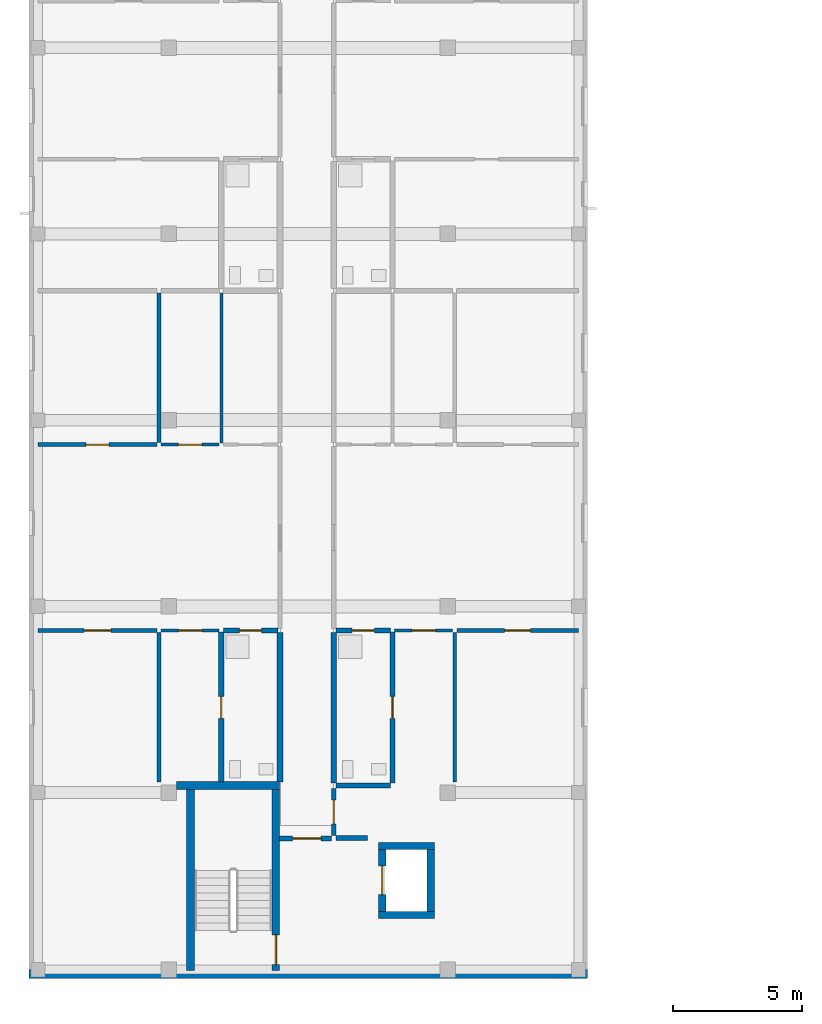
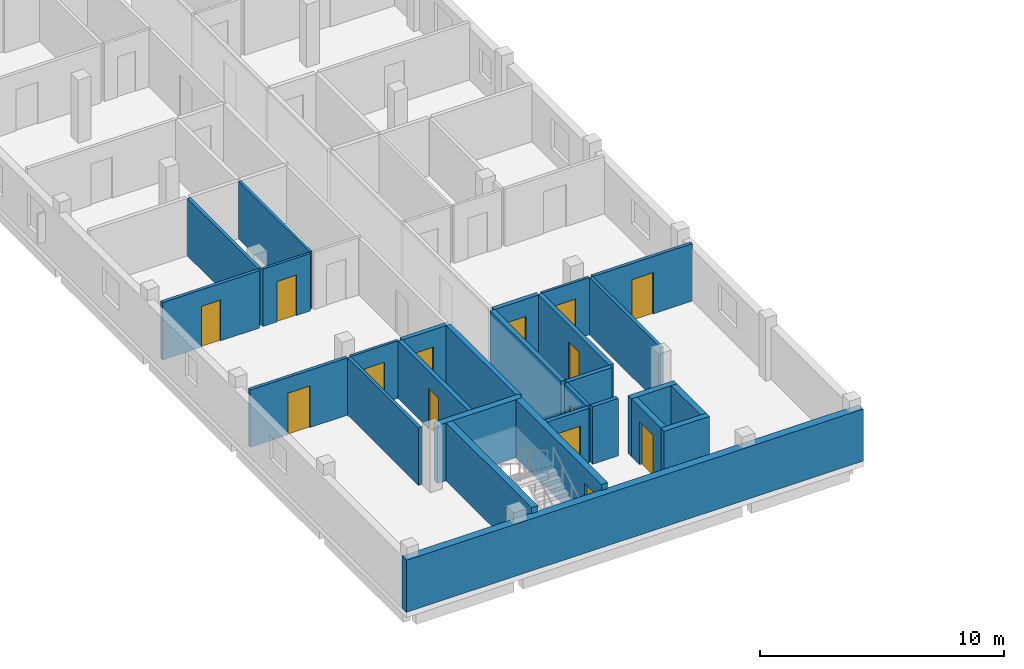
# One storey, part 13 of 38: 28 walls, 14 doors, 14 openings.
"""IFC4 building model written with IfcOpenShell, lengths in metres."""

from ifc_helpers import new_model, si_unit, derived_unit, direction, frame, frame_2d, origin, place, context, subcontext, project, spatial, rectangle, extrude, material, layer, layer_set, type_object, element, fill, save


model = new_model("IFC4")

# Units and contexts
model_context = context("Model", 3, precision=1e-05, world=origin(), true_north=direction((0.0, 1.0)))
body_context = subcontext(model_context, "Body", "Model", "MODEL_VIEW")
ifc_project = project(units=[si_unit("LENGTHUNIT", "METRE"), si_unit("AREAUNIT", "SQUARE_METRE"), si_unit("VOLUMEUNIT", "CUBIC_METRE"), si_unit("PLANEANGLEUNIT", "RADIAN"), si_unit("MASSUNIT", "GRAM", prefix="KILO"), derived_unit("THERMALTRANSMITTANCEUNIT", [(si_unit("MASSUNIT", "GRAM", prefix="KILO"), 1), (si_unit("TIMEUNIT", "SECOND"), -3), (si_unit("THERMODYNAMICTEMPERATUREUNIT", "KELVIN"), -1)])], contexts=[model_context])

# Site, building, storey
site_placement = place(None, origin())
site = spatial("IfcSite", under=ifc_project, at=site_placement, CompositionType="ELEMENT")
building_placement = place(site_placement, origin())
building = spatial("IfcBuilding", under=site, at=building_placement, Name="Ochrekiln Boulevard Commons", CompositionType="ELEMENT")
storey_placement = place(building_placement, frame((0.0, 0.0, 24.675048828125)))
storey = spatial("IfcBuildingStorey", under=building, at=storey_placement, Name="L07", CompositionType="ELEMENT", Elevation=24.675048828125)

# Walls
ifc_material_1 = material(Name="Iron-spot brown clinker brick masonry ASTM C216 Grade SW", Category="masonry")
ifc_layer_1 = layer(ifc_material_1, 0.364990234375)
ifc_layer_set_1 = layer_set([ifc_layer_1], Name="Iron-spot brown clinker brick masonry ASTM C216 Grade SW")
wall_type_1 = type_object("IfcWallType", Name="WL-EXT-IRON-365", PredefinedType="SOLIDWALL", material=ifc_layer_set_1)
wall_1_placement = place(storey_placement, frame((0.0, 0.1826171875, 0.0), z_axis=(0.0, 0.0, 1.0), x_axis=(1.0, 0.0, 0.0)))
element("IfcWall", 1, at=wall_1_placement, inside=storey, type_object=wall_type_1, Name="Block D L07 S Exterior Wall", PredefinedType="SOLIDWALL", context=body_context, shape_type="SweptSolid", body=[
    extrude(rectangle(XDim=21.60009765625, YDim=0.364990234375, at=frame_2d((10.800048828125, 0.0))), origin(), (0.0, 0.0, 1.0), 2.599853515625),
])
ifc_material_2 = material(Name="Moisture-resistant cementitious tile backer wall")
ifc_layer_2 = layer(ifc_material_2, 0.199951171875)
ifc_layer_set_2 = layer_set([ifc_layer_2], Name="Moisture-resistant cementitious tile backer wall")
wall_type_2 = type_object("IfcWallType", Name="WL-PLM-200", PredefinedType="PLUMBINGWALL", material=ifc_layer_set_2)
wall_2_placement = place(storey_placement, frame((11.8720703125, 7.47509765625, 0.0), z_axis=(0.0, 0.0, 1.0), x_axis=(1.0, 0.0, 0.0)))
element("IfcWall", 2, at=wall_2_placement, inside=storey, type_object=wall_type_2, Name="L07 Interior Wall W-PW200", PredefinedType="PLUMBINGWALL", context=body_context, shape_type="SweptSolid", body=[
    extrude(rectangle(XDim=2.10791015625, YDim=0.199951171875, at=frame_2d((1.053955078125, 0.0))), origin(), (0.0, 0.0, 1.0), 2.869873046875),
])

# Wall, opening, door
wall_3_placement = place(storey_placement, frame((7.52001953125, 13.465087890625, 0.0), z_axis=(0.0, 0.0, 1.0), x_axis=(1.0, 0.0, 0.0)))
wall_3 = element("IfcWall", 3, at=wall_3_placement, inside=storey, type_object=wall_type_2, Name="L07 Interior Wall W-PW200", PredefinedType="PLUMBINGWALL", context=body_context, shape_type="SweptSolid", body=[
    extrude(rectangle(XDim=2.10791015625, YDim=0.199951171875, at=frame_2d((1.053955078125, 0.0))), origin(), (0.0, 0.0, 1.0), 2.869873046875),
])
opening_1_placement = place(wall_3_placement, frame((0.6201171875, 0.0, 0.0)))
opening_1 = element("IfcOpeningElement", 4, at=opening_1_placement, cuts=wall_3, Name="Opening D-L07-980", PredefinedType="OPENING", context=body_context, shape_type="SweptSolid", body=[
    extrude(rectangle(XDim=0.860107421875, YDim=2.0, at=frame_2d((0.43017578125, 1.0))), frame((0.0, 0.10986328125, 0.0), z_axis=(0.0, -1.0, 0.0), x_axis=(1.0, 0.0, 0.0)), (0.0, 0.0, 1.0), 0.219970703125),
])
ifc_material_3 = material(Name="Solid core architectural oak door leaf")
door_type_1 = type_object("IfcDoorType", Name="DR-INT-BTH-086", OperationType="NOTDEFINED", PredefinedType="DOOR", material=ifc_material_3)
door_1_placement = place(opening_1_placement, frame((0.860107421875, 0.0, 0.0), z_axis=(0.0, 0.0, 1.0), x_axis=(-1.0, 0.0, 0.0)))
door_1 = element("IfcDoor", 5, at=door_1_placement, inside=storey, type_object=door_type_1, Name="L07 Interior Door to Accessible Apartment Bathroom", OperationType="SINGLE_SWING_RIGHT", OverallHeight=2.0, OverallWidth=0.860107421875, PredefinedType="DOOR", context=body_context, shape_type="SweptSolid", body=[
    extrude(rectangle(XDim=0.860107421875, YDim=2.0, at=frame_2d((0.43017578125, 1.0))), frame((0.0, 0.02490234375, 0.0), z_axis=(0.0, -1.0, 0.0), x_axis=(1.0, 0.0, 0.0)), (0.0, 0.0, 1.0), 0.050048828125),
])
fill(opening_1, door_1)

wall_4_placement = place(storey_placement, frame((7.43994140625, 7.60009765625, 0.0), z_axis=(0.0, 0.0, 1.0), x_axis=(0.0, 1.0, 0.0)))
wall_4 = element("IfcWall", 6, at=wall_4_placement, inside=storey, type_object=wall_type_2, Name="L07 Interior Wall W-PW200", PredefinedType="PLUMBINGWALL", context=body_context, shape_type="SweptSolid", body=[
    extrude(rectangle(XDim=5.804931640625, YDim=0.199951171875, at=frame_2d((2.90234375, 0.0))), origin(), (0.0, 0.0, 1.0), 2.869873046875),
])
opening_2_placement = place(wall_4_placement, frame((2.468017578125, 0.0, 0.0)))
opening_2 = element("IfcOpeningElement", 7, at=opening_2_placement, cuts=wall_4, Name="Opening D-L07-986", PredefinedType="OPENING", context=body_context, shape_type="SweptSolid", body=[
    extrude(rectangle(XDim=0.85009765625, YDim=2.010009765625, at=frame_2d((0.425048828125, 1.0048828125))), frame((0.0, 0.10986328125, 0.0), z_axis=(0.0, -1.0, 0.0), x_axis=(1.0, 0.0, 0.0)), (0.0, 0.0, 1.0), 0.219970703125),
])
door_type_2 = type_object("IfcDoorType", Name="DR-INT-KIT-085", OperationType="NOTDEFINED", PredefinedType="DOOR", material=ifc_material_3)
door_2_placement = place(opening_2_placement, frame((0.85009765625, 0.0, 0.0), z_axis=(0.0, 0.0, 1.0), x_axis=(-1.0, 0.0, 0.0)))
door_2 = element("IfcDoor", 8, at=door_2_placement, inside=storey, type_object=door_type_2, Name="L07 Interior Door to Accessible Apartment Bathroom", OperationType="SINGLE_SWING_RIGHT", OverallHeight=2.010009765625, OverallWidth=0.85009765625, PredefinedType="DOOR", context=body_context, shape_type="SweptSolid", body=[
    extrude(rectangle(XDim=0.85009765625, YDim=2.010009765625, at=frame_2d((0.425048828125, 1.0048828125))), frame((0.0, 0.02490234375, 0.0), z_axis=(0.0, -1.0, 0.0), x_axis=(1.0, 0.0, 0.0)), (0.0, 0.0, 1.0), 0.050048828125),
])
fill(opening_2, door_2)

wall_5_placement = place(storey_placement, frame((11.8720703125, 13.465087890625, 0.0), z_axis=(0.0, 0.0, 1.0), x_axis=(1.0, 0.0, 0.0)))
wall_5 = element("IfcWall", 9, at=wall_5_placement, inside=storey, type_object=wall_type_2, Name="L07 Interior Wall W-PW200", PredefinedType="PLUMBINGWALL", context=body_context, shape_type="SweptSolid", body=[
    extrude(rectangle(XDim=2.10791015625, YDim=0.199951171875, at=frame_2d((1.053955078125, 0.0))), origin(), (0.0, 0.0, 1.0), 2.869873046875),
])
opening_3_placement = place(wall_5_placement, frame((0.6279296875, 0.0, 0.0)))
opening_3 = element("IfcOpeningElement", 10, at=opening_3_placement, cuts=wall_5, Name="Opening D-L07-991", PredefinedType="OPENING", context=body_context, shape_type="SweptSolid", body=[
    extrude(rectangle(XDim=0.860107421875, YDim=2.0, at=frame_2d((0.43017578125, 1.0))), frame((0.0, 0.10986328125, 0.0), z_axis=(0.0, -1.0, 0.0), x_axis=(1.0, 0.0, 0.0)), (0.0, 0.0, 1.0), 0.219970703125),
])
door_3_placement = place(opening_3_placement, frame((0.860107421875, 0.0, 0.0), z_axis=(0.0, 0.0, 1.0), x_axis=(-1.0, 0.0, 0.0)))
door_3 = element("IfcDoor", 11, at=door_3_placement, inside=storey, type_object=door_type_1, Name="L07 Interior Door to Apartment Bathroom", OperationType="SINGLE_SWING_LEFT", OverallHeight=2.0, OverallWidth=0.860107421875, PredefinedType="DOOR", context=body_context, shape_type="SweptSolid", body=[
    extrude(rectangle(XDim=0.860107421875, YDim=2.0, at=frame_2d((0.43017578125, 1.0))), frame((0.0, 0.02490234375, 0.0), z_axis=(0.0, -1.0, 0.0), x_axis=(1.0, 0.0, 0.0)), (0.0, 0.0, 1.0), 0.050048828125),
])
fill(opening_3, door_3)

wall_6_placement = place(storey_placement, frame((14.06005859375, 7.574951171875, 0.0), z_axis=(0.0, 0.0, 1.0), x_axis=(0.0, 1.0, 0.0)))
wall_6 = element("IfcWall", 12, at=wall_6_placement, inside=storey, type_object=wall_type_2, Name="L07 Interior Wall W-PW200", PredefinedType="PLUMBINGWALL", context=body_context, shape_type="SweptSolid", body=[
    extrude(rectangle(XDim=5.830078125, YDim=0.199951171875, at=frame_2d((2.9150390625, 0.0))), origin(), (0.0, 0.0, 1.0), 2.869873046875),
])
opening_4_placement = place(wall_6_placement, frame((2.491943359375, 0.0, 0.0)))
opening_4 = element("IfcOpeningElement", 13, at=opening_4_placement, cuts=wall_6, Name="Opening D-L07-997", PredefinedType="OPENING", context=body_context, shape_type="SweptSolid", body=[
    extrude(rectangle(XDim=0.85009765625, YDim=2.010009765625, at=frame_2d((0.425048828125, 1.0048828125))), frame((0.0, 0.10986328125, 0.0), z_axis=(0.0, -1.0, 0.0), x_axis=(1.0, 0.0, 0.0)), (0.0, 0.0, 1.0), 0.219970703125),
])
door_4_placement = place(opening_4_placement, origin())
door_4 = element("IfcDoor", 14, at=door_4_placement, inside=storey, type_object=door_type_2, Name="L07 Interior Door to Apartment Bathroom", OperationType="SINGLE_SWING_LEFT", OverallHeight=2.010009765625, OverallWidth=0.85009765625, PredefinedType="DOOR", context=body_context, shape_type="SweptSolid", body=[
    extrude(rectangle(XDim=0.85009765625, YDim=2.010009765625, at=frame_2d((0.425048828125, 1.0048828125))), frame((0.0, 0.02490234375, 0.0), z_axis=(0.0, -1.0, 0.0), x_axis=(1.0, 0.0, 0.0)), (0.0, 0.0, 1.0), 0.050048828125),
])
fill(opening_4, door_4)

# Walls
ifc_layer_3 = layer(ifc_material_2, 0.219970703125)
ifc_layer_set_3 = layer_set([ifc_layer_3], Name="Moisture-resistant cementitious tile backer wall")
wall_type_3 = type_object("IfcWallType", Name="WL-PLM-220", PredefinedType="PLUMBINGWALL", material=ifc_layer_set_3)
wall_7_placement = place(storey_placement, frame((9.7099609375, 7.60009765625, 0.0), z_axis=(0.0, 0.0, 1.0), x_axis=(0.0, 1.0, 0.0)))
element("IfcWall", 15, at=wall_7_placement, inside=storey, type_object=wall_type_3, Name="L07 Interior Wall W-PW220", PredefinedType="PLUMBINGWALL", context=body_context, shape_type="SweptSolid", body=[
    extrude(rectangle(XDim=5.784912109375, YDim=0.219970703125, at=frame_2d((2.892578125, 0.0))), origin(), (0.0, 0.0, 1.0), 2.869873046875),
])
wall_8_placement = place(storey_placement, frame((11.7900390625, 7.574951171875, 0.0), z_axis=(0.0, 0.0, 1.0), x_axis=(0.0, 1.0, 0.0)))
element("IfcWall", 16, at=wall_8_placement, inside=storey, type_object=wall_type_3, Name="L07 Interior Wall W-PW220", PredefinedType="PLUMBINGWALL", context=body_context, shape_type="SweptSolid", body=[
    extrude(rectangle(XDim=5.81005859375, YDim=0.219970703125, at=frame_2d((2.905029296875, 0.0))), origin(), (0.0, 0.0, 1.0), 2.869873046875),
])

# Wall, opening, door
ifc_material_4 = material(Name="Fire-rated Type X gypsum board on steel studs", Category="steel")
ifc_layer_4 = layer(ifc_material_4, 0.1650390625)
ifc_layer_set_4 = layer_set([ifc_layer_4], Name="Fire-rated Type X gypsum board on steel studs")
wall_type_4 = type_object("IfcWallType", Name="WL-PT-CORR-165", PredefinedType="PARTITIONING", material=ifc_layer_set_4)
wall_9_placement = place(storey_placement, frame((11.7900390625, 5.530029296875, 0.0), z_axis=(0.0, 0.0, 1.0), x_axis=(0.0, 1.0, 0.0)))
wall_9 = element("IfcWall", 17, at=wall_9_placement, inside=storey, type_object=wall_type_4, Name="L07 Interior Wall W-PC165", PredefinedType="PARTITIONING", context=body_context, shape_type="SweptSolid", body=[
    extrude(rectangle(XDim=1.820068359375, YDim=0.1650390625, at=frame_2d((0.91015625, 0.0))), origin(), (0.0, 0.0, 1.0), 2.869873046875),
])
opening_5_placement = place(wall_9_placement, frame((0.4599609375, 0.0, 0.0)))
opening_5 = element("IfcOpeningElement", 18, at=opening_5_placement, cuts=wall_9, Name="Opening D-L07-975", PredefinedType="OPENING", context=body_context, shape_type="SweptSolid", body=[
    extrude(rectangle(XDim=0.919921875, YDim=2.0400390625, at=frame_2d((0.4599609375, 1.02001953125))), frame((0.0, 0.092529296875, 0.0), z_axis=(0.0, -1.0, 0.0), x_axis=(1.0, 0.0, 0.0)), (0.0, 0.0, 1.0), 0.18505859375),
])
ifc_material_5 = material(Name="Hollow metal fire-rated steel door assembly", Category="steel")
door_type_3 = type_object("IfcDoorType", Name="DR-SRV-90", OperationType="NOTDEFINED", PredefinedType="DOOR", material=ifc_material_5)
door_5_placement = place(opening_5_placement, frame((0.919921875, 0.0, 0.0), z_axis=(0.0, 0.0, 1.0), x_axis=(-1.0, 0.0, 0.0)))
door_5 = element("IfcDoor", 19, at=door_5_placement, inside=storey, type_object=door_type_3, Name="L07 Interior Door to Hydronic and Electrical Riser Room", OperationType="SINGLE_SWING_LEFT", OverallHeight=2.0400390625, OverallWidth=0.919921875, PredefinedType="DOOR", context=body_context, shape_type="SweptSolid", body=[
    extrude(rectangle(XDim=0.919921875, YDim=2.0400390625, at=frame_2d((0.4599609375, 1.02001953125))), frame((0.0, 0.02490234375, 0.0), z_axis=(0.0, -1.0, 0.0), x_axis=(1.0, 0.0, 0.0)), (0.0, 0.0, 1.0), 0.050048828125),
])
fill(opening_5, door_5)

# Wall
ifc_layer_5 = layer(ifc_material_4, 0.18994140625)
ifc_layer_set_5 = layer_set([ifc_layer_5], Name="Fire-rated Type X gypsum board on steel studs")
wall_type_5 = type_object("IfcWallType", Name="WL-PT-LBY-190", PredefinedType="PARTITIONING", material=ifc_layer_set_5)
wall_10_placement = place(storey_placement, frame((11.8798828125, 5.43505859375, 0.0), z_axis=(0.0, 0.0, 1.0), x_axis=(1.0, 0.0, 0.0)))
element("IfcWall", 20, at=wall_10_placement, inside=storey, type_object=wall_type_5, Name="L07 Interior Wall W-PL190", PredefinedType="PARTITIONING", context=body_context, shape_type="SweptSolid", body=[
    extrude(rectangle(XDim=1.22021484375, YDim=0.18994140625, at=frame_2d((0.610107421875, 0.0))), origin(), (0.0, 0.0, 1.0), 2.869873046875),
])

# Wall, opening, door
wall_11_placement = place(storey_placement, frame((9.699951171875, 5.419921875, 0.0), z_axis=(0.0, 0.0, 1.0), x_axis=(1.0, 0.0, 0.0)))
wall_11 = element("IfcWall", 21, at=wall_11_placement, inside=storey, type_object=wall_type_5, Name="L07 Interior Wall W-PL190", PredefinedType="PARTITIONING", context=body_context, shape_type="SweptSolid", body=[
    extrude(rectangle(XDim=2.0, YDim=0.18994140625, at=frame_2d((1.0, 0.0))), origin(), (0.0, 0.0, 1.0), 2.869873046875),
])
opening_6_placement = place(wall_11_placement, frame((0.5, 0.0, 0.0)))
opening_6 = element("IfcOpeningElement", 22, at=opening_6_placement, cuts=wall_11, Name="Opening D-L07-973", PredefinedType="OPENING", context=body_context, shape_type="SweptSolid", body=[
    extrude(rectangle(XDim=1.10009765625, YDim=2.1201171875, at=frame_2d((0.550048828125, 1.06005859375))), frame((0.0, 0.10498046875, 0.0), z_axis=(0.0, -1.0, 0.0), x_axis=(1.0, 0.0, 0.0)), (0.0, 0.0, 1.0), 0.2099609375),
])
door_type_4 = type_object("IfcDoorType", Name="DR-LOBBY-60", OperationType="NOTDEFINED", PredefinedType="DOOR", material=ifc_material_5)
door_6_placement = place(opening_6_placement, frame((1.10009765625, 0.0, 0.0), z_axis=(0.0, 0.0, 1.0), x_axis=(-1.0, 0.0, 0.0)))
door_6 = element("IfcDoor", 23, at=door_6_placement, inside=storey, type_object=door_type_4, Name="L07 Interior Door to Passenger Elevator Lobby", OperationType="SINGLE_SWING_LEFT", OverallHeight=2.1201171875, OverallWidth=1.10009765625, PredefinedType="DOOR", context=body_context, shape_type="SweptSolid", body=[
    extrude(rectangle(XDim=1.10009765625, YDim=2.1201171875, at=frame_2d((0.550048828125, 1.06005859375))), frame((0.0, 0.02490234375, 0.0), z_axis=(0.0, -1.0, 0.0), x_axis=(1.0, 0.0, 0.0)), (0.0, 0.0, 1.0), 0.050048828125),
])
fill(opening_6, door_6)

ifc_layer_6 = layer(ifc_material_4, 0.1201171875)
ifc_layer_set_6 = layer_set([ifc_layer_6], Name="Fire-rated Type X gypsum board on steel studs")
wall_type_6 = type_object("IfcWallType", Name="WL-PT-LGT-120", PredefinedType="PARTITIONING", material=ifc_layer_set_6)
wall_12_placement = place(storey_placement, frame((5.110107421875, 13.465087890625, 0.0), z_axis=(0.0, 0.0, 1.0), x_axis=(1.0, 0.0, 0.0)))
wall_12 = element("IfcWall", 24, at=wall_12_placement, inside=storey, type_object=wall_type_6, Name="L07 Interior Wall W-PL120", PredefinedType="PARTITIONING", context=body_context, shape_type="SweptSolid", body=[
    extrude(rectangle(XDim=2.25, YDim=0.1201171875, at=frame_2d((1.125, 0.0))), origin(), (0.0, 0.0, 1.0), 2.869873046875),
])
opening_7_placement = place(wall_12_placement, frame((0.6650390625, 0.0, 0.0)))
opening_7 = element("IfcOpeningElement", 25, at=opening_7_placement, cuts=wall_12, Name="Opening D-L07-983", PredefinedType="OPENING", context=body_context, shape_type="SweptSolid", body=[
    extrude(rectangle(XDim=0.919921875, YDim=2.02001953125, at=frame_2d((0.4599609375, 1.010009765625))), frame((0.0, 0.070068359375, 0.0), z_axis=(0.0, -1.0, 0.0), x_axis=(1.0, 0.0, 0.0)), (0.0, 0.0, 1.0), 0.14013671875),
])
door_type_5 = type_object("IfcDoorType", Name="DR-INT-KIT-092", OperationType="NOTDEFINED", PredefinedType="DOOR", material=ifc_material_3)
door_7_placement = place(opening_7_placement, frame((0.919921875, 0.0, 0.0), z_axis=(0.0, 0.0, 1.0), x_axis=(-1.0, 0.0, 0.0)))
door_7 = element("IfcDoor", 26, at=door_7_placement, inside=storey, type_object=door_type_5, Name="L07 Interior Door to Apartment Walk-In Wardrobe", OperationType="SINGLE_SWING_LEFT", OverallHeight=2.02001953125, OverallWidth=0.919921875, PredefinedType="DOOR", context=body_context, shape_type="SweptSolid", body=[
    extrude(rectangle(XDim=0.919921875, YDim=2.02001953125, at=frame_2d((0.4599609375, 1.010009765625))), frame((0.0, 0.02490234375, 0.0), z_axis=(0.0, -1.0, 0.0), x_axis=(1.0, 0.0, 0.0)), (0.0, 0.0, 1.0), 0.050048828125),
])
fill(opening_7, door_7)

wall_13_placement = place(storey_placement, frame((5.110107421875, 20.653076171875, 0.0), z_axis=(0.0, 0.0, 1.0), x_axis=(1.0, 0.0, 0.0)))
wall_13 = element("IfcWall", 27, at=wall_13_placement, inside=storey, type_object=wall_type_6, Name="L07 Interior Wall W-PL120", PredefinedType="PARTITIONING", context=body_context, shape_type="SweptSolid", body=[
    extrude(rectangle(XDim=2.25, YDim=0.1201171875, at=frame_2d((1.125, 0.0))), origin(), (0.0, 0.0, 1.0), 2.869873046875),
])
opening_8_placement = place(wall_13_placement, frame((0.6650390625, 0.0, 0.0)))
opening_8 = element("IfcOpeningElement", 28, at=opening_8_placement, cuts=wall_13, Name="Opening D-L07-985", PredefinedType="OPENING", context=body_context, shape_type="SweptSolid", body=[
    extrude(rectangle(XDim=0.919921875, YDim=2.02001953125, at=frame_2d((0.4599609375, 1.010009765625))), frame((0.0, 0.070068359375, 0.0), z_axis=(0.0, -1.0, 0.0), x_axis=(1.0, 0.0, 0.0)), (0.0, 0.0, 1.0), 0.14013671875),
])
door_8_placement = place(opening_8_placement, origin())
door_8 = element("IfcDoor", 29, at=door_8_placement, inside=storey, type_object=door_type_5, Name="L07 Interior Door to Apartment Walk-In Wardrobe", OperationType="SINGLE_SWING_LEFT", OverallHeight=2.02001953125, OverallWidth=0.919921875, PredefinedType="DOOR", context=body_context, shape_type="SweptSolid", body=[
    extrude(rectangle(XDim=0.919921875, YDim=2.02001953125, at=frame_2d((0.4599609375, 1.010009765625))), frame((0.0, 0.02490234375, 0.0), z_axis=(0.0, -1.0, 0.0), x_axis=(1.0, 0.0, 0.0)), (0.0, 0.0, 1.0), 0.050048828125),
])
fill(opening_8, door_8)

# Wall
wall_14_placement = place(storey_placement, frame((7.43994140625, 20.712890625, 0.0), z_axis=(0.0, 0.0, 1.0), x_axis=(0.0, 1.0, 0.0)))
element("IfcWall", 30, at=wall_14_placement, inside=storey, type_object=wall_type_6, Name="L07 Interior Wall W-PL120", PredefinedType="PARTITIONING", context=body_context, shape_type="SweptSolid", body=[
    extrude(rectangle(XDim=5.80517578125, YDim=0.1201171875, at=frame_2d((2.902587890625, 0.0))), origin(), (0.0, 0.0, 1.0), 2.869873046875),
])

# Wall, opening, door
wall_15_placement = place(storey_placement, frame((14.139892578125, 13.465087890625, 0.0), z_axis=(0.0, 0.0, 1.0), x_axis=(1.0, 0.0, 0.0)))
wall_15 = element("IfcWall", 31, at=wall_15_placement, inside=storey, type_object=wall_type_6, Name="L07 Interior Wall W-PL120", PredefinedType="PARTITIONING", context=body_context, shape_type="SweptSolid", body=[
    extrude(rectangle(XDim=2.25, YDim=0.1201171875, at=frame_2d((1.125, 0.0))), origin(), (0.0, 0.0, 1.0), 2.869873046875),
])
opening_9_placement = place(wall_15_placement, frame((0.6650390625, 0.0, 0.0)))
opening_9 = element("IfcOpeningElement", 32, at=opening_9_placement, cuts=wall_15, Name="Opening D-L07-994", PredefinedType="OPENING", context=body_context, shape_type="SweptSolid", body=[
    extrude(rectangle(XDim=0.919921875, YDim=2.02001953125, at=frame_2d((0.4599609375, 1.010009765625))), frame((0.0, 0.070068359375, 0.0), z_axis=(0.0, -1.0, 0.0), x_axis=(1.0, 0.0, 0.0)), (0.0, 0.0, 1.0), 0.14013671875),
])
door_9_placement = place(opening_9_placement, frame((0.919921875, 0.0, 0.0), z_axis=(0.0, 0.0, 1.0), x_axis=(-1.0, 0.0, 0.0)))
door_9 = element("IfcDoor", 33, at=door_9_placement, inside=storey, type_object=door_type_5, Name="L07 Interior Door to Apartment Walk-In Wardrobe", OperationType="SINGLE_SWING_RIGHT", OverallHeight=2.02001953125, OverallWidth=0.919921875, PredefinedType="DOOR", context=body_context, shape_type="SweptSolid", body=[
    extrude(rectangle(XDim=0.919921875, YDim=2.02001953125, at=frame_2d((0.4599609375, 1.010009765625))), frame((0.0, 0.02490234375, 0.0), z_axis=(0.0, -1.0, 0.0), x_axis=(1.0, 0.0, 0.0)), (0.0, 0.0, 1.0), 0.050048828125),
])
fill(opening_9, door_9)

ifc_layer_7 = layer(ifc_material_4, 0.14990234375)
ifc_layer_set_7 = layer_set([ifc_layer_7], Name="Fire-rated Type X gypsum board on steel studs")
wall_type_7 = type_object("IfcWallType", Name="WL-PT-STD-150", PredefinedType="PARTITIONING", material=ifc_layer_set_7)
wall_16_placement = place(storey_placement, frame((0.35009765625, 13.465087890625, 0.0), z_axis=(0.0, 0.0, 1.0), x_axis=(1.0, 0.0, 0.0)))
wall_16 = element("IfcWall", 34, at=wall_16_placement, inside=storey, type_object=wall_type_7, Name="L07 Interior Wall W-PS150", PredefinedType="PARTITIONING", context=body_context, shape_type="SweptSolid", body=[
    extrude(rectangle(XDim=4.599853515625, YDim=0.14990234375, at=frame_2d((2.2998046875, 0.0))), origin(), (0.0, 0.0, 1.0), 2.869873046875),
])
opening_10_placement = place(wall_16_placement, frame((1.780029296875, 0.0, 0.0)))
opening_10 = element("IfcOpeningElement", 35, at=opening_10_placement, cuts=wall_16, Name="Opening D-L07-982", PredefinedType="OPENING", context=body_context, shape_type="SweptSolid", body=[
    extrude(rectangle(XDim=1.0400390625, YDim=2.080078125, at=frame_2d((0.52001953125, 1.0400390625))), frame((0.0, 0.0849609375, 0.0), z_axis=(0.0, -1.0, 0.0), x_axis=(1.0, 0.0, 0.0)), (0.0, 0.0, 1.0), 0.169921875),
])
door_type_6 = type_object("IfcDoorType", Name="DR-INT-BED-104", OperationType="NOTDEFINED", PredefinedType="DOOR", material=ifc_material_3)
door_10_placement = place(opening_10_placement, frame((1.0400390625, 0.0, 0.0), z_axis=(0.0, 0.0, 1.0), x_axis=(-1.0, 0.0, 0.0)))
door_10 = element("IfcDoor", 36, at=door_10_placement, inside=storey, type_object=door_type_6, Name="L07 Interior Door to Primary Apartment Bedroom", OperationType="SINGLE_SWING_RIGHT", OverallHeight=2.080078125, OverallWidth=1.0400390625, PredefinedType="DOOR", context=body_context, shape_type="SweptSolid", body=[
    extrude(rectangle(XDim=1.0400390625, YDim=2.080078125, at=frame_2d((0.52001953125, 1.0400390625))), frame((0.0, 0.02490234375, 0.0), z_axis=(0.0, -1.0, 0.0), x_axis=(1.0, 0.0, 0.0)), (0.0, 0.0, 1.0), 0.050048828125),
])
fill(opening_10, door_10)

wall_17_placement = place(storey_placement, frame((0.35009765625, 20.653076171875, 0.0), z_axis=(0.0, 0.0, 1.0), x_axis=(1.0, 0.0, 0.0)))
wall_17 = element("IfcWall", 37, at=wall_17_placement, inside=storey, type_object=wall_type_7, Name="L07 Interior Wall W-PS150", PredefinedType="PARTITIONING", context=body_context, shape_type="SweptSolid", body=[
    extrude(rectangle(XDim=4.599853515625, YDim=0.14990234375, at=frame_2d((2.2998046875, 0.0))), origin(), (0.0, 0.0, 1.0), 2.869873046875),
])
opening_11_placement = place(wall_17_placement, frame((1.85009765625, 0.0, 0.0)))
opening_11 = element("IfcOpeningElement", 38, at=opening_11_placement, cuts=wall_17, Name="Opening D-L07-984", PredefinedType="OPENING", context=body_context, shape_type="SweptSolid", body=[
    extrude(rectangle(XDim=0.89990234375, YDim=2.0400390625, at=frame_2d((0.449951171875, 1.02001953125))), frame((0.0, 0.0849609375, 0.0), z_axis=(0.0, -1.0, 0.0), x_axis=(1.0, 0.0, 0.0)), (0.0, 0.0, 1.0), 0.169921875),
])
door_type_7 = type_object("IfcDoorType", Name="DR-INT-BED-090", OperationType="NOTDEFINED", PredefinedType="DOOR", material=ifc_material_3)
door_11_placement = place(opening_11_placement, origin())
door_11 = element("IfcDoor", 39, at=door_11_placement, inside=storey, type_object=door_type_7, Name="L07 Interior Door to Secondary Apartment Bedroom", OperationType="SINGLE_SWING_RIGHT", OverallHeight=2.0400390625, OverallWidth=0.89990234375, PredefinedType="DOOR", context=body_context, shape_type="SweptSolid", body=[
    extrude(rectangle(XDim=0.89990234375, YDim=2.0400390625, at=frame_2d((0.449951171875, 1.02001953125))), frame((0.0, 0.02490234375, 0.0), z_axis=(0.0, -1.0, 0.0), x_axis=(1.0, 0.0, 0.0)), (0.0, 0.0, 1.0), 0.050048828125),
])
fill(opening_11, door_11)

# Walls
wall_18_placement = place(storey_placement, frame((5.030029296875, 7.60009765625, 0.0), z_axis=(0.0, 0.0, 1.0), x_axis=(0.0, 1.0, 0.0)))
element("IfcWall", 40, at=wall_18_placement, inside=storey, type_object=wall_type_7, Name="L07 Interior Wall W-PS150", PredefinedType="PARTITIONING", context=body_context, shape_type="SweptSolid", body=[
    extrude(rectangle(XDim=5.789794921875, YDim=0.14990234375, at=frame_2d((2.89501953125, 0.0))), origin(), (0.0, 0.0, 1.0), 2.869873046875),
])
wall_19_placement = place(storey_placement, frame((5.030029296875, 20.72802734375, 0.0), z_axis=(0.0, 0.0, 1.0), x_axis=(0.0, 1.0, 0.0)))
element("IfcWall", 41, at=wall_19_placement, inside=storey, type_object=wall_type_7, Name="L07 Interior Wall W-PS150", PredefinedType="PARTITIONING", context=body_context, shape_type="SweptSolid", body=[
    extrude(rectangle(XDim=5.7900390625, YDim=0.14990234375, at=frame_2d((2.89501953125, 0.0))), origin(), (0.0, 0.0, 1.0), 2.869873046875),
])

# Wall, opening, door
wall_20_placement = place(storey_placement, frame((16.550048828125, 13.465087890625, 0.0), z_axis=(0.0, 0.0, 1.0), x_axis=(1.0, 0.0, 0.0)))
wall_20 = element("IfcWall", 42, at=wall_20_placement, inside=storey, type_object=wall_type_7, Name="L07 Interior Wall W-PS150", PredefinedType="PARTITIONING", context=body_context, shape_type="SweptSolid", body=[
    extrude(rectangle(XDim=4.699951171875, YDim=0.14990234375, at=frame_2d((2.35009765625, 0.0))), origin(), (0.0, 0.0, 1.0), 2.869873046875),
])
opening_12_placement = place(wall_20_placement, frame((1.85009765625, 0.0, 0.0)))
opening_12 = element("IfcOpeningElement", 43, at=opening_12_placement, cuts=wall_20, Name="Opening D-L07-993", PredefinedType="OPENING", context=body_context, shape_type="SweptSolid", body=[
    extrude(rectangle(XDim=1.0, YDim=2.06005859375, at=frame_2d((0.5, 1.030029296875))), frame((0.0, 0.0849609375, 0.0), z_axis=(0.0, -1.0, 0.0), x_axis=(1.0, 0.0, 0.0)), (0.0, 0.0, 1.0), 0.169921875),
])
door_type_8 = type_object("IfcDoorType", Name="DR-INT-BED-100", OperationType="NOTDEFINED", PredefinedType="DOOR", material=ifc_material_3)
door_12_placement = place(opening_12_placement, frame((1.0, 0.0, 0.0), z_axis=(0.0, 0.0, 1.0), x_axis=(-1.0, 0.0, 0.0)))
door_12 = element("IfcDoor", 44, at=door_12_placement, inside=storey, type_object=door_type_8, Name="L07 Interior Door to Primary Apartment Bedroom", OperationType="SINGLE_SWING_LEFT", OverallHeight=2.06005859375, OverallWidth=1.0, PredefinedType="DOOR", context=body_context, shape_type="SweptSolid", body=[
    extrude(rectangle(XDim=1.0, YDim=2.06005859375, at=frame_2d((0.5, 1.030029296875))), frame((0.0, 0.02490234375, 0.0), z_axis=(0.0, -1.0, 0.0), x_axis=(1.0, 0.0, 0.0)), (0.0, 0.0, 1.0), 0.050048828125),
])
fill(opening_12, door_12)

# Walls
wall_21_placement = place(storey_placement, frame((16.469970703125, 7.60009765625, 0.0), z_axis=(0.0, 0.0, 1.0), x_axis=(0.0, 1.0, 0.0)))
element("IfcWall", 45, at=wall_21_placement, inside=storey, type_object=wall_type_7, Name="L07 Interior Wall W-PS150", PredefinedType="PARTITIONING", context=body_context, shape_type="SweptSolid", body=[
    extrude(rectangle(XDim=5.789794921875, YDim=0.14990234375, at=frame_2d((2.89501953125, 0.0))), origin(), (0.0, 0.0, 1.0), 2.869873046875),
])
ifc_material_6 = material(Name="Concrete C40/50", Category="concrete")
ifc_layer_8 = layer(ifc_material_6, 0.27490234375)
ifc_layer_set_8 = layer_set([ifc_layer_8], Name="Concrete C40/50")
wall_type_8 = type_object("IfcWallType", Name="WL-SH-275", PredefinedType="SHEAR", material=ifc_layer_set_8)
for number, where, z_axis, x_axis, name in (
    (46, (13.52490234375, 2.46240234375, 0.0), (0.0, 0.0, 1.0), (1.0, 0.0, 0.0), "Elevator LP-D1 L07 Hoistway Shear Wall"),
    (47, (13.52490234375, 5.137451171875, 0.0), (0.0, 0.0, 1.0), (1.0, 0.0, 0.0), "Elevator LP-D1 L07 Hoistway Shear Wall"),
):
    element("IfcWall", number, at=place(storey_placement, frame(where, z_axis=z_axis, x_axis=x_axis)), inside=storey, type_object=wall_type_8, Name=name, PredefinedType="SHEAR", context=body_context, shape_type="SweptSolid", body=[
        extrude(rectangle(XDim=2.150146484375, YDim=0.27490234375, at=frame_2d((1.0751953125, 0.0))), origin(), (0.0, 0.0, 1.0), 2.89990234375),
    ])

# Wall, opening, door
wall_22_placement = place(storey_placement, frame((13.66259765625, 2.60009765625, 0.0), z_axis=(0.0, 0.0, 1.0), x_axis=(0.0, 1.0, 0.0)))
wall_22 = element("IfcWall", 48, at=wall_22_placement, inside=storey, type_object=wall_type_8, Name="Elevator LP-D1 L07 Hoistway Shear Wall", PredefinedType="SHEAR", context=body_context, shape_type="SweptSolid", body=[
    extrude(rectangle(XDim=2.39990234375, YDim=0.27490234375, at=frame_2d((1.199951171875, 0.0))), origin(), (0.0, 0.0, 1.0), 2.89990234375),
])
opening_13_placement = place(wall_22_placement, frame((0.64990234375, 0.0, 0.0)))
opening_13 = element("IfcOpeningElement", 49, at=opening_13_placement, cuts=wall_22, Name="Opening LD-LP-D1-L07", PredefinedType="OPENING", context=body_context, shape_type="SweptSolid", body=[
    extrude(rectangle(XDim=1.10009765625, YDim=2.14990234375, at=frame_2d((0.550048828125, 1.074951171875))), frame((0.0, 0.1474609375, 0.0), z_axis=(0.0, -1.0, 0.0), x_axis=(1.0, 0.0, 0.0)), (0.0, 0.0, 1.0), 0.294921875),
])
ifc_material_7 = material(Name="Brushed stainless steel 316 elevator cab and doors", Category="steel")
door_type_9 = type_object("IfcDoorType", Name="DR-LIFT-LD90", OperationType="SLIDING_TO_LEFT", PredefinedType="DOOR", material=ifc_material_7)
door_13_placement = place(opening_13_placement, origin())
door_13 = element("IfcDoor", 50, at=door_13_placement, inside=storey, type_object=door_type_9, Name="Elevator LP-D1 L07 Sliding Landing Door LD-LP-D1-L07", OperationType="SLIDING_TO_LEFT", OverallHeight=2.14990234375, OverallWidth=1.10009765625, PredefinedType="DOOR", context=body_context, shape_type="SweptSolid", body=[
    extrude(rectangle(XDim=1.10009765625, YDim=2.14990234375, at=frame_2d((0.550048828125, 1.074951171875))), frame((0.0, 0.02490234375, 0.0), z_axis=(0.0, -1.0, 0.0), x_axis=(1.0, 0.0, 0.0)), (0.0, 0.0, 1.0), 0.050048828125),
])
fill(opening_13, door_13)

# Walls
wall_23_placement = place(storey_placement, frame((15.53759765625, 2.60009765625, 0.0), z_axis=(0.0, 0.0, 1.0), x_axis=(0.0, 1.0, 0.0)))
element("IfcWall", 51, at=wall_23_placement, inside=storey, type_object=wall_type_8, Name="Elevator LP-D1 L07 Hoistway Shear Wall", PredefinedType="SHEAR", context=body_context, shape_type="SweptSolid", body=[
    extrude(rectangle(XDim=2.39990234375, YDim=0.27490234375, at=frame_2d((1.199951171875, 0.0))), origin(), (0.0, 0.0, 1.0), 2.89990234375),
])
ifc_layer_9 = layer(ifc_material_6, 0.300048828125)
ifc_layer_set_9 = layer_set([ifc_layer_9], Name="Concrete C40/50")
wall_type_9 = type_object("IfcWallType", Name="WL-SH-300", PredefinedType="SHEAR", material=ifc_layer_set_9)
wall_24_placement = place(storey_placement, frame((5.699951171875, 7.469970703125, 0.0), z_axis=(0.0, 0.0, 1.0), x_axis=(1.0, 0.0, 0.0)))
element("IfcWall", 52, at=wall_24_placement, inside=storey, type_object=wall_type_9, Name="Stair ST-D1 L07 Core Shear Wall N", PredefinedType="SHEAR", context=body_context, shape_type="SweptSolid", body=[
    extrude(rectangle(XDim=4.0, YDim=0.300048828125, at=frame_2d((2.0, 0.0))), origin(), (0.0, 0.0, 1.0), 2.89990234375),
])
wall_25_placement = place(storey_placement, frame((6.25, 0.320068359375, 0.0), z_axis=(0.0, 0.0, 1.0), x_axis=(0.0, 1.0, 0.0)))
element("IfcWall", 53, at=wall_25_placement, inside=storey, type_object=wall_type_9, Name="Stair ST-D1 L07 Core Shear Wall W", PredefinedType="SHEAR", context=body_context, shape_type="SweptSolid", body=[
    extrude(rectangle(XDim=7.0, YDim=0.300048828125, at=frame_2d((3.5, 0.0))), origin(), (0.0, 0.0, 1.0), 2.89990234375),
])

# Wall, opening, door
wall_26_placement = place(storey_placement, frame((9.550048828125, 0.320068359375, 0.0), z_axis=(0.0, 0.0, 1.0), x_axis=(0.0, 1.0, 0.0)))
wall_26 = element("IfcWall", 54, at=wall_26_placement, inside=storey, type_object=wall_type_9, Name="Stair ST-D1 L07 Core Shear Wall E", PredefinedType="SHEAR", context=body_context, shape_type="SweptSolid", body=[
    extrude(rectangle(XDim=7.0, YDim=0.300048828125, at=frame_2d((3.5, 0.0))), origin(), (0.0, 0.0, 1.0), 2.89990234375),
])
opening_14_placement = place(wall_26_placement, frame((0.22509765625, 0.0, 0.0)))
opening_14 = element("IfcOpeningElement", 55, at=opening_14_placement, cuts=wall_26, Name="Opening D-L07-ST-D1", PredefinedType="OPENING", context=body_context, shape_type="SweptSolid", body=[
    extrude(rectangle(XDim=1.14990234375, YDim=2.1201171875, at=frame_2d((0.574951171875, 1.06005859375))), frame((0.0, 0.159912109375, 0.0), z_axis=(0.0, -1.0, 0.0), x_axis=(1.0, 0.0, 0.0)), (0.0, 0.0, 1.0), 0.320068359375),
])
door_type_10 = type_object("IfcDoorType", Name="DR-STAIR-90", OperationType="NOTDEFINED", PredefinedType="DOOR", material=ifc_material_5)
door_14_placement = place(opening_14_placement, origin())
door_14 = element("IfcDoor", 56, at=door_14_placement, inside=storey, type_object=door_type_10, Name="Enclosed Exit Stair ST-D1 L07 Rated Door", OperationType="SINGLE_SWING_LEFT", OverallHeight=2.1201171875, OverallWidth=1.14990234375, PredefinedType="DOOR", context=body_context, shape_type="SweptSolid", body=[
    extrude(rectangle(XDim=1.14990234375, YDim=2.1201171875, at=frame_2d((0.574951171875, 1.06005859375))), frame((0.0, 0.02490234375, 0.0), z_axis=(0.0, -1.0, 0.0), x_axis=(1.0, 0.0, 0.0)), (0.0, 0.0, 1.0), 0.050048828125),
])
fill(opening_14, door_14)

save(model, "model.ifc")
